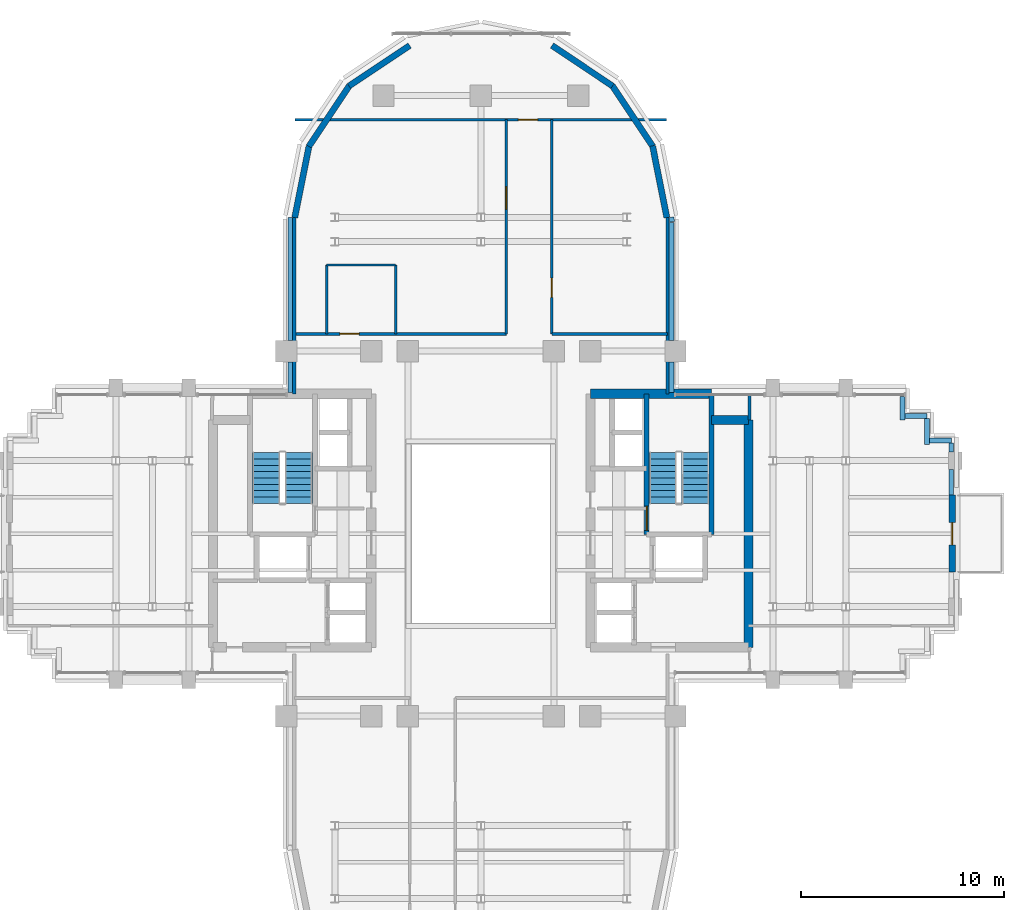
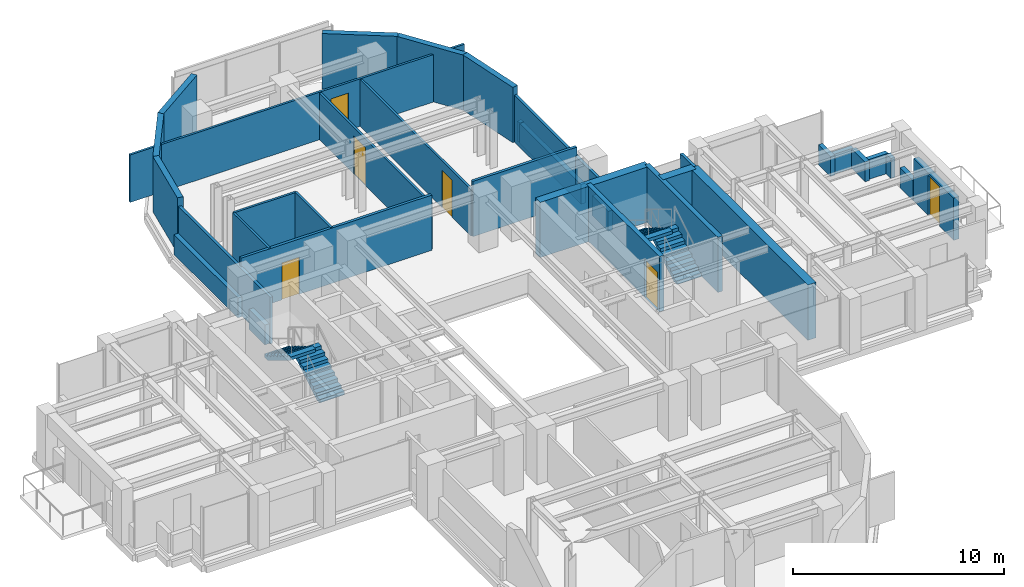
# One storey, part 10 of 13: 34 walls, 6 doors, 4 stair flights, 6 openings, 2 elements without a shape of their own.
"""IFC4 building model written with IfcOpenShell, lengths in metres."""

from ifc_helpers import new_model, si_unit, direction, frame, frame_2d, origin, place, context, subcontext, project, spatial, polyline, rectangle, outline, extrude, source, transform, mapped, material, layer, layer_set, type_object, element, fill, aggregate, save


model = new_model("IFC4")

# Units and contexts
model_context = context("Model", 3, precision=1e-05, world=origin(), true_north=direction((0.0, 1.0)))
body_context = subcontext(model_context, "Body", "Model", "MODEL_VIEW")
ifc_project = project(units=[si_unit("LENGTHUNIT", "METRE"), si_unit("AREAUNIT", "SQUARE_METRE"), si_unit("VOLUMEUNIT", "CUBIC_METRE"), si_unit("PLANEANGLEUNIT", "RADIAN"), si_unit("MASSUNIT", "GRAM", prefix="KILO")], contexts=[model_context])

# Site, building, storey
site_placement = place(None, origin())
site = spatial("IfcSite", under=ifc_project, at=site_placement, CompositionType="ELEMENT")
building_placement = place(site_placement, origin())
building = spatial("IfcBuilding", under=site, at=building_placement, Name="Keilestroom Media Tower", CompositionType="ELEMENT")
storey_placement = place(building_placement, frame((0.0, 0.0, 100.60009765625)))
storey = spatial("IfcBuildingStorey", under=building, at=storey_placement, Name="L26", CompositionType="ELEMENT", Elevation=100.60009765625)

# Walls
ifc_material_1 = material(Name="Precast concrete C40/50", Category="concrete")
ifc_layer_1 = layer(ifc_material_1, 0.300048828125)
ifc_layer_set_1 = layer_set([ifc_layer_1], Name="Precast concrete C40/50")
wall_type_1 = type_object("IfcWallType", Name="Exterior-Masonry-Spandrel-Wall-300", PredefinedType="SOLIDWALL", material=ifc_layer_set_1)
for number, where, z_axis, x_axis, name in (
    (1, (9.1748046875, 15.585205078125, 0.0), (0.0, 0.0, 1.0), (-0.195114232679, 0.980780523974, 0.0), "L26 Lobe Facet Precast Frame Wall 01"),
    (2, (8.48193359375, 19.097412109375, 0.0), (0.0, 0.0, 1.0), (-0.555574187116, 0.831466970246, 0.0), "L26 Lobe Facet Precast Frame Wall 02"),
):
    element("IfcWall", number, at=place(storey_placement, frame(where, z_axis=z_axis, x_axis=x_axis)), inside=storey, type_object=wall_type_1, Name=name, PredefinedType="SOLIDWALL", context=body_context, shape_type="SweptSolid", body=[
        extrude(rectangle(XDim=3.608642578125, YDim=0.300048828125, at=frame_2d((1.80419921875, 0.0))), origin(), (0.0, 0.0, 1.0), 3.199951171875),
    ])
for number, where, z_axis, x_axis, name in (
    (3, (6.497802734375, 22.0771484375, 0.0), (0.0, 0.0, 1.0), (-0.8314749531, 0.555562239868, 0.0), "L26 Lobe Facet Precast Frame Wall 03"),
    (4, (-3.510009765625, 24.073486328125, 0.0), (0.0, 0.0, 1.0), (-0.8314749531, -0.555562239868, 0.0), "L26 Lobe Facet Precast Frame Wall 04"),
):
    element("IfcWall", number, at=place(storey_placement, frame(where, z_axis=z_axis, x_axis=x_axis)), inside=storey, type_object=wall_type_1, Name=name, PredefinedType="SOLIDWALL", context=body_context, shape_type="SweptSolid", body=[
        extrude(rectangle(XDim=3.59326171875, YDim=0.300048828125, at=frame_2d((1.796630859375, 0.0))), origin(), (0.0, 0.0, 1.0), 3.199951171875),
    ])
for number, where, z_axis, x_axis, name in (
    (5, (-6.47705078125, 22.097900390625, 0.0), (0.0, 0.0, 1.0), (-0.555574187116, -0.831466970246, 0.0), "L26 Lobe Facet Precast Frame Wall 05"),
    (6, (-8.470703125, 19.12451171875, 0.0), (0.0, 0.0, 1.0), (-0.195114232679, -0.980780523974, 0.0), "L26 Lobe Facet Precast Frame Wall 06"),
):
    element("IfcWall", number, at=place(storey_placement, frame(where, z_axis=z_axis, x_axis=x_axis)), inside=storey, type_object=wall_type_1, Name=name, PredefinedType="SOLIDWALL", context=body_context, shape_type="SweptSolid", body=[
        extrude(rectangle(XDim=3.608642578125, YDim=0.300048828125, at=frame_2d((1.80419921875, 0.0))), origin(), (0.0, 0.0, 1.0), 3.199951171875),
    ])

# Wall, opening, door
wall_1_placement = place(storey_placement, frame((23.25, -1.89990234375, 0.0), z_axis=(0.0, 0.0, 1.0), x_axis=(0.0, 1.0, 0.0)))
wall_1 = element("IfcWall", 7, at=wall_1_placement, inside=storey, type_object=wall_type_1, Name="L26 Terrace Threshold Wall L26-E", PredefinedType="SOLIDWALL", context=body_context, shape_type="SweptSolid", body=[
    extrude(rectangle(XDim=3.7998046875, YDim=0.300048828125, at=frame_2d((1.89990234375, 0.0))), origin(), (0.0, 0.0, 1.0), 2.449951171875),
])
opening_1_placement = place(wall_1_placement, frame((1.35009765625, 0.0, 0.0)))
opening_1 = element("IfcOpeningElement", 8, at=opening_1_placement, cuts=wall_1, Name="Opening DE-02", PredefinedType="OPENING", context=body_context, shape_type="SweptSolid", body=[
    extrude(rectangle(XDim=1.10009765625, YDim=2.300048828125, at=frame_2d((0.550048828125, 1.14990234375))), frame((0.0, 0.16015625, 0.0), z_axis=(0.0, -1.0, 0.0), x_axis=(1.0, 0.0, 0.0)), (0.0, 0.0, 1.0), 0.320068359375),
])
ifc_material_2 = material(Name="Thermally Broken Aluminium & Laminated Glass", Category="aluminium")
door_type_1 = type_object("IfcDoorType", Name="Exterior-Entrance-And-Terrace-Door-DE-02", OperationType="NOTDEFINED", PredefinedType="DOOR", material=ifc_material_2)
shared_shape_1 = source(origin(), body_context, "Body", "SweptSolid", [
    extrude(rectangle(XDim=1.10009765625, YDim=2.300048828125, at=frame_2d((0.550048828125, 1.14990234375))), frame((0.0, 0.02490234375, 0.0), z_axis=(0.0, -1.0, 0.0), x_axis=(1.0, 0.0, 0.0)), (0.0, 0.0, 1.0), 0.050048828125),
])
door_1_placement = place(opening_1_placement, frame((1.10009765625, 0.0, 0.0), z_axis=(0.0, 0.0, 1.0), x_axis=(-1.0, 0.0, 0.0)))
door_1 = element("IfcDoor", 9, at=door_1_placement, inside=storey, type_object=door_type_1, Name="L26 Terrace Access Door DE-02 L26-E", OperationType="SINGLE_SWING_RIGHT", OverallHeight=2.300048828125, OverallWidth=1.10009765625, PredefinedType="DOOR", context=body_context, shape_type="MappedRepresentation", body=[
    mapped(shared_shape_1, transform((0.0, 0.0, 0.0), x_axis=(1.0, 0.0, 0.0), y_axis=(0.0, 1.0, 0.0), z_axis=(0.0, 0.0, 1.0), scale=1.0)),
])
fill(opening_1, door_1)

ifc_material_3 = material(Name="Gypsum Plasterboard & Steel Stud", Category="steel")
ifc_layer_2 = layer(ifc_material_3, 0.1201171875)
ifc_layer_set_2 = layer_set([ifc_layer_2], Name="Gypsum Plasterboard & Steel Stud")
wall_type_2 = type_object("IfcWallType", Name="Interior-Partition-Wall-120", PredefinedType="PARTITIONING", material=ifc_layer_set_2)
wall_2_placement = place(storey_placement, frame((1.260009765625, 9.85009765625, 0.0), z_axis=(0.0, 0.0, 1.0), x_axis=(0.0, 1.0, 0.0)))
wall_2 = element("IfcWall", 10, at=wall_2_placement, inside=storey, type_object=wall_type_2, Name="L26 Interior Wall WP-L26-NL-SPW", PredefinedType="PARTITIONING", context=body_context, shape_type="SweptSolid", body=[
    extrude(rectangle(XDim=10.56982421875, YDim=0.1201171875, at=frame_2d((5.284912109375, 0.0))), origin(), (0.0, 0.0, 1.0), 2.699951171875),
])
opening_2_placement = place(wall_2_placement, frame((6.14990234375, 0.0, 0.0)))
opening_2 = element("IfcOpeningElement", 11, at=opening_2_placement, cuts=wall_2, Name="Opening DI-04", PredefinedType="OPENING", context=body_context, shape_type="SweptSolid", body=[
    extrude(rectangle(XDim=1.10009765625, YDim=2.199951171875, at=frame_2d((0.550048828125, 1.10009765625))), frame((0.0, 0.070068359375, 0.0), z_axis=(0.0, -1.0, 0.0), x_axis=(1.0, 0.0, 0.0)), (0.0, 0.0, 1.0), 0.14013671875),
])
ifc_material_4 = material(Name="Acoustic Glazed Aluminium Leaf", Category="aluminium")
door_type_2 = type_object("IfcDoorType", Name="Interior-Room-And-Suite-Door-DI-04", OperationType="NOTDEFINED", PredefinedType="DOOR", material=ifc_material_4)
shared_shape_2 = source(origin(), body_context, "Body", "SweptSolid", [
    extrude(rectangle(XDim=1.10009765625, YDim=2.199951171875, at=frame_2d((0.550048828125, 1.10009765625))), frame((0.0, 0.02490234375, 0.0), z_axis=(0.0, -1.0, 0.0), x_axis=(1.0, 0.0, 0.0)), (0.0, 0.0, 1.0), 0.050048828125),
])
door_2_placement = place(opening_2_placement, origin())
door_2 = element("IfcDoor", 12, at=door_2_placement, inside=storey, type_object=door_type_2, Name="L26 Interior Door DI-L26-DNL-W1", OperationType="SINGLE_SWING_RIGHT", OverallHeight=2.199951171875, OverallWidth=1.10009765625, PredefinedType="DOOR", context=body_context, shape_type="MappedRepresentation", body=[
    mapped(shared_shape_2, transform((0.0, 0.0, 0.0), x_axis=(1.0, 0.0, 0.0), y_axis=(0.0, 1.0, 0.0), z_axis=(0.0, 0.0, 1.0), scale=1.0)),
])
fill(opening_2, door_2)

wall_3_placement = place(storey_placement, frame((3.5, 9.85009765625, 0.0), z_axis=(0.0, 0.0, 1.0), x_axis=(0.0, 1.0, 0.0)))
wall_3 = element("IfcWall", 13, at=wall_3_placement, inside=storey, type_object=wall_type_2, Name="L26 Interior Wall WP-L26-NL-SPE", PredefinedType="PARTITIONING", context=body_context, shape_type="SweptSolid", body=[
    extrude(rectangle(XDim=10.56982421875, YDim=0.1201171875, at=frame_2d((5.284912109375, 0.0))), origin(), (0.0, 0.0, 1.0), 2.699951171875),
])
opening_3_placement = place(wall_3_placement, frame((1.800048828125, 0.0, 0.0)))
opening_3 = element("IfcOpeningElement", 14, at=opening_3_placement, cuts=wall_3, Name="Opening DI-03", PredefinedType="OPENING", context=body_context, shape_type="SweptSolid", body=[
    extrude(rectangle(XDim=0.949951171875, YDim=2.14990234375, at=frame_2d((0.47509765625, 1.074951171875))), frame((0.0, 0.070068359375, 0.0), z_axis=(0.0, -1.0, 0.0), x_axis=(1.0, 0.0, 0.0)), (0.0, 0.0, 1.0), 0.14013671875),
])
ifc_material_5 = material(Name="Lacquered European Oak Leaf", Category="wood")
door_type_3 = type_object("IfcDoorType", Name="Interior-Room-And-Suite-Door-DI-03", OperationType="NOTDEFINED", PredefinedType="DOOR", material=ifc_material_5)
shared_shape_3 = source(origin(), body_context, "Body", "SweptSolid", [
    extrude(rectangle(XDim=0.949951171875, YDim=2.14990234375, at=frame_2d((0.47509765625, 1.074951171875))), frame((0.0, 0.02490234375, 0.0), z_axis=(0.0, -1.0, 0.0), x_axis=(1.0, 0.0, 0.0)), (0.0, 0.0, 1.0), 0.050048828125),
])
door_3_placement = place(opening_3_placement, origin())
door_3 = element("IfcDoor", 15, at=door_3_placement, inside=storey, type_object=door_type_3, Name="L26 Interior Door DI-L26-DNL-E1", OperationType="SINGLE_SWING_LEFT", OverallHeight=2.14990234375, OverallWidth=0.949951171875, PredefinedType="DOOR", context=body_context, shape_type="MappedRepresentation", body=[
    mapped(shared_shape_3, transform((0.0, 0.0, 0.0), x_axis=(1.0, 0.0, 0.0), y_axis=(0.0, 1.0, 0.0), z_axis=(0.0, 0.0, 1.0), scale=1.0)),
])
fill(opening_3, door_3)

wall_4_placement = place(storey_placement, frame((-9.159912109375, 20.419921875, 0.0), z_axis=(0.0, 0.0, 1.0), x_axis=(1.0, 0.0, 0.0)))
wall_4 = element("IfcWall", 16, at=wall_4_placement, inside=storey, type_object=wall_type_2, Name="L26 Interior Wall WP-L26-NL-NTIPW", PredefinedType="PARTITIONING", context=body_context, shape_type="SweptSolid", body=[
    extrude(rectangle(XDim=18.31982421875, YDim=0.1201171875, at=frame_2d((9.159912109375, 0.0))), origin(), (0.0, 0.0, 1.0), 2.75),
])
opening_4_placement = place(wall_4_placement, frame((11.010009765625, 0.0, 0.0)))
opening_4 = element("IfcOpeningElement", 17, at=opening_4_placement, cuts=wall_4, Name="Opening DI-03", PredefinedType="OPENING", context=body_context, shape_type="SweptSolid", body=[
    extrude(rectangle(XDim=0.949951171875, YDim=2.14990234375, at=frame_2d((0.47509765625, 1.074951171875))), frame((0.0, 0.070068359375, 0.0), z_axis=(0.0, -1.0, 0.0), x_axis=(1.0, 0.0, 0.0)), (0.0, 0.0, 1.0), 0.14013671875),
])
door_4_placement = place(opening_4_placement, origin())
door_4 = element("IfcDoor", 18, at=door_4_placement, inside=storey, type_object=door_type_3, Name="L26 Interior Door DI-L26-DNL-TIP", OperationType="SINGLE_SWING_RIGHT", OverallHeight=2.14990234375, OverallWidth=0.949951171875, PredefinedType="DOOR", context=body_context, shape_type="MappedRepresentation", body=[
    mapped(shared_shape_3, transform((0.0, 0.0, 0.0), x_axis=(1.0, 0.0, 0.0), y_axis=(0.0, 1.0, 0.0), z_axis=(0.0, 0.0, 1.0), scale=1.0)),
])
fill(opening_4, door_4)

# Walls
wall_5_placement = place(storey_placement, frame((-7.60009765625, 13.25, 0.0), z_axis=(0.0, 0.0, 1.0), x_axis=(1.0, 0.0, 0.0)))
element("IfcWall", 19, at=wall_5_placement, inside=storey, type_object=wall_type_2, Name="L26 Interior Wall WP-L26-NL-WC-N", PredefinedType="PARTITIONING", context=body_context, shape_type="SweptSolid", body=[
    extrude(rectangle(XDim=3.400146484375, YDim=0.1201171875, at=frame_2d((1.7001953125, 0.0))), origin(), (0.0, 0.0, 1.0), 3.199951171875),
])
for number, where, z_axis, x_axis, name in (
    (20, (-7.60009765625, 9.85009765625, 0.0), (0.0, 0.0, 1.0), (0.0, 1.0, 0.0), "L26 Interior Wall WP-L26-NL-WC-W"),
    (21, (-4.199951171875, 9.85009765625, 0.0), (0.0, 0.0, 1.0), (0.0, 1.0, 0.0), "L26 Interior Wall WP-L26-NL-WC-E"),
):
    element("IfcWall", number, at=place(storey_placement, frame(where, z_axis=z_axis, x_axis=x_axis)), inside=storey, type_object=wall_type_2, Name=name, PredefinedType="PARTITIONING", context=body_context, shape_type="SweptSolid", body=[
        extrude(rectangle(XDim=3.39990234375, YDim=0.1201171875, at=frame_2d((1.699951171875, 0.0))), origin(), (0.0, 0.0, 1.0), 3.199951171875),
    ])
ifc_layer_3 = layer(ifc_material_3, 0.14990234375)
ifc_layer_set_3 = layer_set([ifc_layer_3], Name="Gypsum Plasterboard & Steel Stud")
wall_type_3 = type_object("IfcWallType", Name="Interior-Partition-Wall-150", PredefinedType="PARTITIONING", material=ifc_layer_set_3)
for number, where, z_axis, x_axis, name in (
    (22, (-9.199951171875, 6.89990234375, 0.0), (0.0, 0.0, 1.0), (0.0, 1.0, 0.0), "L26 Interior Wall WP-L26-NL-CHKW"),
    (23, (9.199951171875, 6.89990234375, 0.0), (0.0, 0.0, 1.0), (0.0, 1.0, 0.0), "L26 Interior Wall WP-L26-NL-CHKE"),
):
    element("IfcWall", number, at=place(storey_placement, frame(where, z_axis=z_axis, x_axis=x_axis)), inside=storey, type_object=wall_type_3, Name=name, PredefinedType="PARTITIONING", context=body_context, shape_type="SweptSolid", body=[
        extrude(rectangle(XDim=8.780029296875, YDim=0.14990234375, at=frame_2d((4.39013671875, 0.0))), origin(), (0.0, 0.0, 1.0), 2.699951171875),
    ])

# Wall, opening, door
wall_6_placement = place(storey_placement, frame((-9.199951171875, 9.85009765625, 0.0), z_axis=(0.0, 0.0, 1.0), x_axis=(1.0, 0.0, 0.0)))
wall_6 = element("IfcWall", 24, at=wall_6_placement, inside=storey, type_object=wall_type_3, Name="L26 Interior Wall WP-L26-NL-BASE-W", PredefinedType="PARTITIONING", context=body_context, shape_type="SweptSolid", body=[
    extrude(rectangle(XDim=10.4599609375, YDim=0.14990234375, at=frame_2d((5.22998046875, 0.0))), origin(), (0.0, 0.0, 1.0), 3.199951171875),
])
opening_5_placement = place(wall_6_placement, frame((2.25, 0.0, 0.0)))
opening_5 = element("IfcOpeningElement", 25, at=opening_5_placement, cuts=wall_6, Name="Opening DI-03", PredefinedType="OPENING", context=body_context, shape_type="SweptSolid", body=[
    extrude(rectangle(XDim=0.949951171875, YDim=2.14990234375, at=frame_2d((0.47509765625, 1.074951171875))), frame((0.0, 0.0849609375, 0.0), z_axis=(0.0, -1.0, 0.0), x_axis=(1.0, 0.0, 0.0)), (0.0, 0.0, 1.0), 0.169921875),
])
door_5_placement = place(opening_5_placement, origin())
door_5 = element("IfcDoor", 26, at=door_5_placement, inside=storey, type_object=door_type_3, Name="L26 Interior Door DI-L26-DNL-WC", OperationType="SINGLE_SWING_LEFT", OverallHeight=2.14990234375, OverallWidth=0.949951171875, PredefinedType="DOOR", context=body_context, shape_type="MappedRepresentation", body=[
    mapped(shared_shape_3, transform((0.0, 0.0, 0.0), x_axis=(1.0, 0.0, 0.0), y_axis=(0.0, 1.0, 0.0), z_axis=(0.0, 0.0, 1.0), scale=1.0)),
])
fill(opening_5, door_5)

# Walls
wall_7_placement = place(storey_placement, frame((3.5, 9.85009765625, 0.0), z_axis=(0.0, 0.0, 1.0), x_axis=(1.0, 0.0, 0.0)))
element("IfcWall", 27, at=wall_7_placement, inside=storey, type_object=wall_type_3, Name="L26 Interior Wall WP-L26-NL-BASE-E", PredefinedType="PARTITIONING", context=body_context, shape_type="SweptSolid", body=[
    extrude(rectangle(XDim=5.699951171875, YDim=0.14990234375, at=frame_2d((2.85009765625, 0.0))), origin(), (0.0, 0.0, 1.0), 3.199951171875),
])
wall_8_placement = place(storey_placement, frame((13.260009765625, 5.60009765625, 0.0), z_axis=(0.0, 0.0, 1.0), x_axis=(-0.016013571389, 0.999871774545, 0.0)))
element("IfcWall", 28, at=wall_8_placement, inside=storey, type_object=wall_type_3, Name="L26 Interior Wall WP-L26-EA-ENTN", PredefinedType="PARTITIONING", context=body_context, shape_type="SweptSolid", body=[
    extrude(rectangle(XDim=1.250244140625, YDim=0.14990234375, at=frame_2d((0.625, 0.0))), origin(), (0.0, 0.0, 1.0), 3.199951171875),
])
ifc_material_6 = material(Name="Concrete C55/67", Category="concrete")
ifc_layer_4 = layer(ifc_material_6, 0.449951171875)
ifc_layer_set_4 = layer_set([ifc_layer_4], Name="Concrete C55/67")
wall_type_4 = type_object("IfcWallType", Name="Reinforced-Concrete-Core-Shear-Wall-450", PredefinedType="SHEAR", material=ifc_layer_set_4)
wall_9_placement = place(storey_placement, frame((13.199951171875, -5.60009765625, 0.0), z_axis=(0.0, 0.0, 1.0), x_axis=(0.0, 1.0, 0.0)))
element("IfcWall", 29, at=wall_9_placement, inside=storey, type_object=wall_type_4, Name="L26 Core Shear Wall WL-L26-CORE-E-OUT", PredefinedType="SHEAR", context=body_context, shape_type="SweptSolid", body=[
    extrude(rectangle(XDim=11.2001953125, YDim=0.449951171875, at=frame_2d((5.60009765625, 0.0))), origin(), (0.0, 0.0, 1.0), 3.199951171875),
])
wall_10_placement = place(storey_placement, frame((5.39990234375, 6.89990234375, 0.0), z_axis=(0.0, 0.0, 1.0), x_axis=(1.0, 0.0, 0.0)))
element("IfcWall", 30, at=wall_10_placement, inside=storey, type_object=wall_type_4, Name="L26 Core Shear Wall WL-L26-CORE-E-N", PredefinedType="SHEAR", context=body_context, shape_type="SweptSolid", body=[
    extrude(rectangle(XDim=5.981201171875, YDim=0.449951171875, at=frame_2d((2.99072265625, 0.0))), origin(), (0.0, 0.0, 1.0), 3.199951171875),
])
wall_11_placement = place(storey_placement, frame((11.381103515625, 5.60009765625, 0.0), z_axis=(0.0, 0.0, 1.0), x_axis=(1.0, 0.0, 0.0)))
element("IfcWall", 31, at=wall_11_placement, inside=storey, type_object=wall_type_4, Name="L26 Core Shear Wall WL-L26-CNE-N", PredefinedType="SHEAR", context=body_context, shape_type="SweptSolid", body=[
    extrude(rectangle(XDim=1.81884765625, YDim=0.449951171875, at=frame_2d((0.909423828125, 0.0))), origin(), (0.0, 0.0, 1.0), 3.199951171875),
])

# Wall, opening, door
ifc_material_7 = material(Name="Concrete C50/60", Category="concrete")
ifc_layer_5 = layer(ifc_material_7, 0.25)
ifc_layer_set_5 = layer_set([ifc_layer_5], Name="Concrete C50/60")
wall_type_5 = type_object("IfcWallType", Name="Reinforced-Concrete-Shaft-Wall-250", PredefinedType="SOLIDWALL", material=ifc_layer_set_5)
wall_12_placement = place(storey_placement, frame((8.178955078125, -0.041015625, 0.0), z_axis=(0.0, 0.0, 1.0), x_axis=(0.0, 1.0, 0.0)))
wall_12 = element("IfcWall", 32, at=wall_12_placement, inside=storey, type_object=wall_type_5, Name="L26 Core Shear Wall WL-L26-STW-E-NEAR", PredefinedType="SOLIDWALL", context=body_context, shape_type="SweptSolid", body=[
    extrude(rectangle(XDim=6.94091796875, YDim=0.25, at=frame_2d((3.470458984375, 0.0))), origin(), (0.0, 0.0, 1.0), 3.199951171875),
])
opening_6_placement = place(wall_12_placement, frame((0.199951171875, 0.0, 0.0)))
opening_6 = element("IfcOpeningElement", 33, at=opening_6_placement, cuts=wall_12, Name="Opening DI-01S", PredefinedType="OPENING", context=body_context, shape_type="SweptSolid", body=[
    extrude(rectangle(XDim=1.199951171875, YDim=2.199951171875, at=frame_2d((0.60009765625, 1.10009765625))), frame((0.0, 0.135009765625, 0.0), z_axis=(0.0, -1.0, 0.0), x_axis=(1.0, 0.0, 0.0)), (0.0, 0.0, 1.0), 0.27001953125),
])
ifc_material_8 = material(Name="Powder-Coated Steel Fire Leaf", Category="steel")
door_type_4 = type_object("IfcDoorType", Name="Interior-Stair-And-Core-Fire-Door-DI-01", OperationType="NOTDEFINED", PredefinedType="DOOR", material=ifc_material_8)
shared_shape_4 = source(origin(), body_context, "Body", "SweptSolid", [
    extrude(rectangle(XDim=1.199951171875, YDim=2.199951171875, at=frame_2d((0.60009765625, 1.10009765625))), frame((0.0, 0.02490234375, 0.0), z_axis=(0.0, -1.0, 0.0), x_axis=(1.0, 0.0, 0.0)), (0.0, 0.0, 1.0), 0.050048828125),
])
door_6_placement = place(opening_6_placement, origin())
door_6 = element("IfcDoor", 34, at=door_6_placement, inside=storey, type_object=door_type_4, Name="L26 Escape Stair ST-2 Fire Door", OperationType="SINGLE_SWING_RIGHT", OverallHeight=2.199951171875, OverallWidth=1.199951171875, PredefinedType="DOOR", context=body_context, shape_type="MappedRepresentation", body=[
    mapped(shared_shape_4, transform((0.0, 0.0, 0.0), x_axis=(1.0, 0.0, 0.0), y_axis=(0.0, 1.0, 0.0), z_axis=(0.0, 0.0, 1.0), scale=1.0)),
])
fill(opening_6, door_6)

# Walls
wall_13_placement = place(storey_placement, frame((11.381103515625, -0.041015625, 0.0), z_axis=(0.0, 0.0, 1.0), x_axis=(0.0, 1.0, 0.0)))
element("IfcWall", 35, at=wall_13_placement, inside=storey, type_object=wall_type_5, Name="L26 Core Shear Wall WL-L26-STW-E-FAR", PredefinedType="SOLIDWALL", context=body_context, shape_type="SweptSolid", body=[
    extrude(rectangle(XDim=6.94091796875, YDim=0.25, at=frame_2d((3.470458984375, 0.0))), origin(), (0.0, 0.0, 1.0), 3.199951171875),
])
ifc_layer_6 = layer(ifc_material_1, 0.239990234375)
ifc_layer_set_6 = layer_set([ifc_layer_6], Name="Precast concrete C40/50")
wall_type_6 = type_object("IfcWallType", Name="Roof-And-Terrace-Parapet-Wall-240", PredefinedType="PARAPET", material=ifc_layer_set_6)
wall_14_placement = place(storey_placement, frame((-9.39990234375, 6.952880859375, 0.0), z_axis=(0.0, 0.0, 1.0), x_axis=(0.0, 1.0, 0.0)))
element("IfcWall", 36, at=wall_14_placement, inside=storey, type_object=wall_type_6, Name="L26 Perimeter Edge Parapet Wall 21", PredefinedType="PARAPET", context=body_context, shape_type="SweptSolid", body=[
    extrude(rectangle(XDim=1.51904296875, YDim=0.239990234375, at=frame_2d((0.759521484375, 0.0))), origin(), (0.0, 0.0, 1.0), 1.14990234375),
])
wall_15_placement = place(storey_placement, frame((-9.39990234375, 9.528076171875, 0.0), z_axis=(0.0, 0.0, 1.0), x_axis=(0.0, 1.0, 0.0)))
element("IfcWall", 37, at=wall_15_placement, inside=storey, type_object=wall_type_6, Name="L26 Perimeter Edge Parapet Wall 22", PredefinedType="PARAPET", context=body_context, shape_type="SweptSolid", body=[
    extrude(rectangle(XDim=6.07470703125, YDim=0.239990234375, at=frame_2d((3.037353515625, 0.0))), origin(), (0.0, 0.0, 1.0), 1.14990234375),
])
wall_16_placement = place(storey_placement, frame((9.395263671875, 15.604248046875, 0.0), z_axis=(0.0, 0.0, 1.0), x_axis=(0.194652052864, -0.980872355771, 0.0)))
element("IfcWall", 38, at=wall_16_placement, inside=storey, type_object=wall_type_6, Name="L26 Perimeter Edge Parapet Wall 23", PredefinedType="PARAPET", context=body_context, shape_type="SweptSolid", body=[
    extrude(rectangle(XDim=0.224609375, YDim=0.239990234375, at=frame_2d((0.1123046875, 0.0))), origin(), (0.0, 0.0, 1.0), 1.14990234375),
])
wall_17_placement = place(storey_placement, frame((9.39990234375, 15.357666015625, 0.0), z_axis=(0.0, 0.0, 1.0), x_axis=(0.0, -1.0, 0.0)))
element("IfcWall", 39, at=wall_17_placement, inside=storey, type_object=wall_type_6, Name="L26 Perimeter Edge Parapet Wall 24", PredefinedType="PARAPET", context=body_context, shape_type="SweptSolid", body=[
    extrude(rectangle(XDim=5.82958984375, YDim=0.239990234375, at=frame_2d((2.914794921875, 0.0))), origin(), (0.0, 0.0, 1.0), 1.14990234375),
])
wall_18_placement = place(storey_placement, frame((9.39990234375, 8.471923828125, 0.0), z_axis=(0.0, 0.0, 1.0), x_axis=(0.0, -1.0, 0.0)))
element("IfcWall", 40, at=wall_18_placement, inside=storey, type_object=wall_type_6, Name="L26 Perimeter Edge Parapet Wall 25", PredefinedType="PARAPET", context=body_context, shape_type="SweptSolid", body=[
    extrude(rectangle(XDim=1.51904296875, YDim=0.239990234375, at=frame_2d((0.759521484375, 0.0))), origin(), (0.0, 0.0, 1.0), 1.14990234375),
])
wall_19_placement = place(storey_placement, frame((20.800048828125, 6.757080078125, 0.0), z_axis=(0.0, 0.0, 1.0), x_axis=(0.0, -1.0, 0.0)))
element("IfcWall", 41, at=wall_19_placement, inside=storey, type_object=wall_type_6, Name="L26 Perimeter Edge Parapet Wall 26", PredefinedType="PARAPET", context=body_context, shape_type="SweptSolid", body=[
    extrude(rectangle(XDim=1.156982421875, YDim=0.239990234375, at=frame_2d((0.57861328125, 0.0))), origin(), (0.0, 0.0, 1.0), 1.14990234375),
])
wall_20_placement = place(storey_placement, frame((20.923095703125, 5.800048828125, 0.0), z_axis=(0.0, 0.0, 1.0), x_axis=(1.0, 0.0, 0.0)))
element("IfcWall", 42, at=wall_20_placement, inside=storey, type_object=wall_type_6, Name="L26 Perimeter Edge Parapet Wall 27", PredefinedType="PARAPET", context=body_context, shape_type="SweptSolid", body=[
    extrude(rectangle(XDim=1.076904296875, YDim=0.239990234375, at=frame_2d((0.53857421875, 0.0))), origin(), (0.0, 0.0, 1.0), 1.14990234375),
])
wall_21_placement = place(storey_placement, frame((22.0, 5.677001953125, 0.0), z_axis=(0.0, 0.0, 1.0), x_axis=(0.0, -1.0, 0.0)))
element("IfcWall", 43, at=wall_21_placement, inside=storey, type_object=wall_type_6, Name="L26 Perimeter Edge Parapet Wall 28", PredefinedType="PARAPET", context=body_context, shape_type="SweptSolid", body=[
    extrude(rectangle(XDim=1.277099609375, YDim=0.239990234375, at=frame_2d((0.638671875, 0.0))), origin(), (0.0, 0.0, 1.0), 1.14990234375),
])
wall_22_placement = place(storey_placement, frame((22.123046875, 4.60009765625, 0.0), z_axis=(0.0, 0.0, 1.0), x_axis=(1.0, 0.0, 0.0)))
element("IfcWall", 44, at=wall_22_placement, inside=storey, type_object=wall_type_6, Name="L26 Perimeter Edge Parapet Wall 29", PredefinedType="PARAPET", context=body_context, shape_type="SweptSolid", body=[
    extrude(rectangle(XDim=1.076904296875, YDim=0.239990234375, at=frame_2d((0.53857421875, 0.0))), origin(), (0.0, 0.0, 1.0), 1.14990234375),
])
wall_23_placement = place(storey_placement, frame((23.199951171875, 4.47705078125, 0.0), z_axis=(0.0, 0.0, 1.0), x_axis=(0.0, -1.0, 0.0)))
element("IfcWall", 45, at=wall_23_placement, inside=storey, type_object=wall_type_6, Name="L26 Perimeter Edge Parapet Wall 30", PredefinedType="PARAPET", context=body_context, shape_type="SweptSolid", body=[
    extrude(rectangle(XDim=0.448974609375, YDim=0.239990234375, at=frame_2d((0.224609375, 0.0))), origin(), (0.0, 0.0, 1.0), 1.14990234375),
])
wall_24_placement = place(storey_placement, frame((23.199951171875, 3.172119140625, 0.0), z_axis=(0.0, 0.0, 1.0), x_axis=(0.0, -1.0, 0.0)))
element("IfcWall", 46, at=wall_24_placement, inside=storey, type_object=wall_type_6, Name="L26 Perimeter Edge Parapet Wall 31", PredefinedType="PARAPET", context=body_context, shape_type="SweptSolid", body=[
    extrude(rectangle(XDim=1.26904296875, YDim=0.239990234375, at=frame_2d((0.634521484375, 0.0))), origin(), (0.0, 0.0, 1.0), 1.14990234375),
])

# Stair, stair flights
ifc_material_9 = material(Name="Concrete C45/55", Category="concrete")
stair_type = type_object("IfcStairType", Name="Enclosed-Dog-Leg-Stair-ST-CORE", PredefinedType="HALF_TURN_STAIR", material=ifc_material_9)
stair_1_placement = place(storey_placement, origin())
stair_1 = element("IfcStair", 47, at=stair_1_placement, inside=storey, type_object=stair_type, Name="L26 West Core Escape Stair ST-1", PredefinedType="HALF_TURN_STAIR")
stair_flight_type = type_object("IfcStairFlightType", Name="Precast-Concrete-Stair-Flight-Core-160", PredefinedType="STRAIGHT", material=ifc_material_1)
stair_flight_1_placement = place(storey_placement, frame((-8.97998046875, 1.5, 0.0), z_axis=(0.0, 0.0, 1.0), x_axis=(0.0, 1.0, 0.0)))
stair_flight_1 = element("IfcStairFlight", 48, at=stair_flight_1_placement, type_object=stair_flight_type, Name="ST-1 flight 1", NumberOfRisers=9, NumberOfTreads=8, PredefinedType="STRAIGHT", RiserHeight=0.188888889, TreadLength=0.312, context=body_context, shape_type="SweptSolid", body=[
    extrude(outline(polyline([(0.0, 0.0), (0.0, 0.18896484375), (0.31201171875, 0.18896484375), (0.31201171875, 0.377685546875), (0.6240234375, 0.377685546875), (0.6240234375, 0.566650390625), (0.93603515625, 0.566650390625), (0.93603515625, 0.755615234375), (1.248046875, 0.755615234375), (1.248046875, 0.9443359375), (1.56005859375, 0.9443359375), (1.56005859375, 1.13330078125), (1.8720703125, 1.13330078125), (1.8720703125, 1.322265625), (2.18408203125, 1.322265625), (2.18408203125, 1.51123046875), (2.49609375, 1.51123046875), (2.49609375, 1.699951171875), (2.49609375, 1.32421875), (0.308837890625, 0.0), (0.0, 0.0)])), frame((0.0, 0.68017578125, 0.0), z_axis=(0.0, -1.0, 0.0), x_axis=(1.0, 0.0, 0.0)), (0.0, 0.0, 1.0), 1.360107421875),
])
stair_flight_2_placement = place(storey_placement, frame((-10.580078125, 3.99609375, 1.699951171875), z_axis=(0.0, 0.0, 1.0), x_axis=(0.0, -1.0, 0.0)))
stair_flight_2 = element("IfcStairFlight", 49, at=stair_flight_2_placement, type_object=stair_flight_type, Name="ST-1 flight 2", NumberOfRisers=9, NumberOfTreads=8, PredefinedType="STRAIGHT", RiserHeight=0.188888889, TreadLength=0.312, context=body_context, shape_type="SweptSolid", body=[
    extrude(outline(polyline([(0.0, 0.0), (0.0, 0.18896484375), (0.31201171875, 0.18896484375), (0.31201171875, 0.377685546875), (0.6240234375, 0.377685546875), (0.6240234375, 0.566650390625), (0.93603515625, 0.566650390625), (0.93603515625, 0.755615234375), (1.248046875, 0.755615234375), (1.248046875, 0.9443359375), (1.56005859375, 0.9443359375), (1.56005859375, 1.13330078125), (1.8720703125, 1.13330078125), (1.8720703125, 1.322265625), (2.18408203125, 1.322265625), (2.18408203125, 1.51123046875), (2.49609375, 1.51123046875), (2.49609375, 1.699951171875), (2.49609375, 1.32421875), (0.308837890625, 0.0), (0.0, 0.0)])), frame((0.0, 0.68017578125, 0.0), z_axis=(0.0, -1.0, 0.0), x_axis=(1.0, 0.0, 0.0)), (0.0, 0.0, 1.0), 1.360107421875),
])
aggregate(stair_1, [stair_flight_1, stair_flight_2])

stair_2_placement = place(storey_placement, origin())
stair_2 = element("IfcStair", 50, at=stair_2_placement, inside=storey, type_object=stair_type, Name="L26 East Core Escape Stair ST-2", PredefinedType="HALF_TURN_STAIR")
stair_flight_3_placement = place(storey_placement, frame((10.580078125, 1.5, 0.0), z_axis=(0.0, 0.0, 1.0), x_axis=(0.0, 1.0, 0.0)))
stair_flight_3 = element("IfcStairFlight", 51, at=stair_flight_3_placement, type_object=stair_flight_type, Name="ST-2 flight 1", NumberOfRisers=9, NumberOfTreads=8, PredefinedType="STRAIGHT", RiserHeight=0.188888889, TreadLength=0.312, context=body_context, shape_type="SweptSolid", body=[
    extrude(outline(polyline([(0.0, 0.0), (0.0, 0.18896484375), (0.31201171875, 0.18896484375), (0.31201171875, 0.377685546875), (0.6240234375, 0.377685546875), (0.6240234375, 0.566650390625), (0.93603515625, 0.566650390625), (0.93603515625, 0.755615234375), (1.248046875, 0.755615234375), (1.248046875, 0.9443359375), (1.56005859375, 0.9443359375), (1.56005859375, 1.13330078125), (1.8720703125, 1.13330078125), (1.8720703125, 1.322265625), (2.18408203125, 1.322265625), (2.18408203125, 1.51123046875), (2.49609375, 1.51123046875), (2.49609375, 1.699951171875), (2.49609375, 1.32421875), (0.308837890625, 0.0), (0.0, 0.0)])), frame((0.0, 0.68017578125, 0.0), z_axis=(0.0, -1.0, 0.0), x_axis=(1.0, 0.0, 0.0)), (0.0, 0.0, 1.0), 1.360107421875),
])
stair_flight_4_placement = place(storey_placement, frame((8.97998046875, 3.99609375, 1.699951171875), z_axis=(0.0, 0.0, 1.0), x_axis=(0.0, -1.0, 0.0)))
stair_flight_4 = element("IfcStairFlight", 52, at=stair_flight_4_placement, type_object=stair_flight_type, Name="ST-2 flight 2", NumberOfRisers=9, NumberOfTreads=8, PredefinedType="STRAIGHT", RiserHeight=0.188888889, TreadLength=0.312, context=body_context, shape_type="SweptSolid", body=[
    extrude(outline(polyline([(0.0, 0.0), (0.0, 0.18896484375), (0.31201171875, 0.18896484375), (0.31201171875, 0.377685546875), (0.6240234375, 0.377685546875), (0.6240234375, 0.566650390625), (0.93603515625, 0.566650390625), (0.93603515625, 0.755615234375), (1.248046875, 0.755615234375), (1.248046875, 0.9443359375), (1.56005859375, 0.9443359375), (1.56005859375, 1.13330078125), (1.8720703125, 1.13330078125), (1.8720703125, 1.322265625), (2.18408203125, 1.322265625), (2.18408203125, 1.51123046875), (2.49609375, 1.51123046875), (2.49609375, 1.699951171875), (2.49609375, 1.32421875), (0.308837890625, 0.0), (0.0, 0.0)])), frame((0.0, 0.68017578125, 0.0), z_axis=(0.0, -1.0, 0.0), x_axis=(1.0, 0.0, 0.0)), (0.0, 0.0, 1.0), 1.360107421875),
])
aggregate(stair_2, [stair_flight_3, stair_flight_4])

save(model, "model.ifc")
